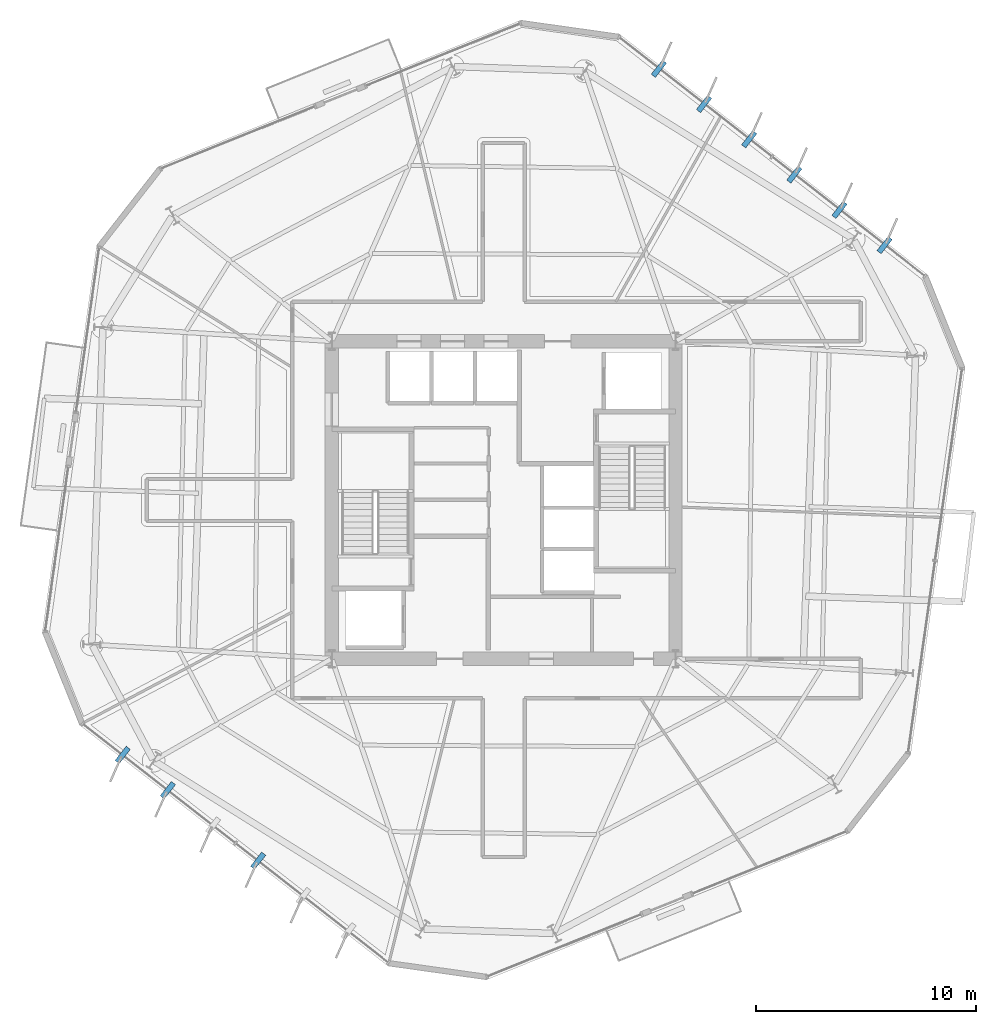
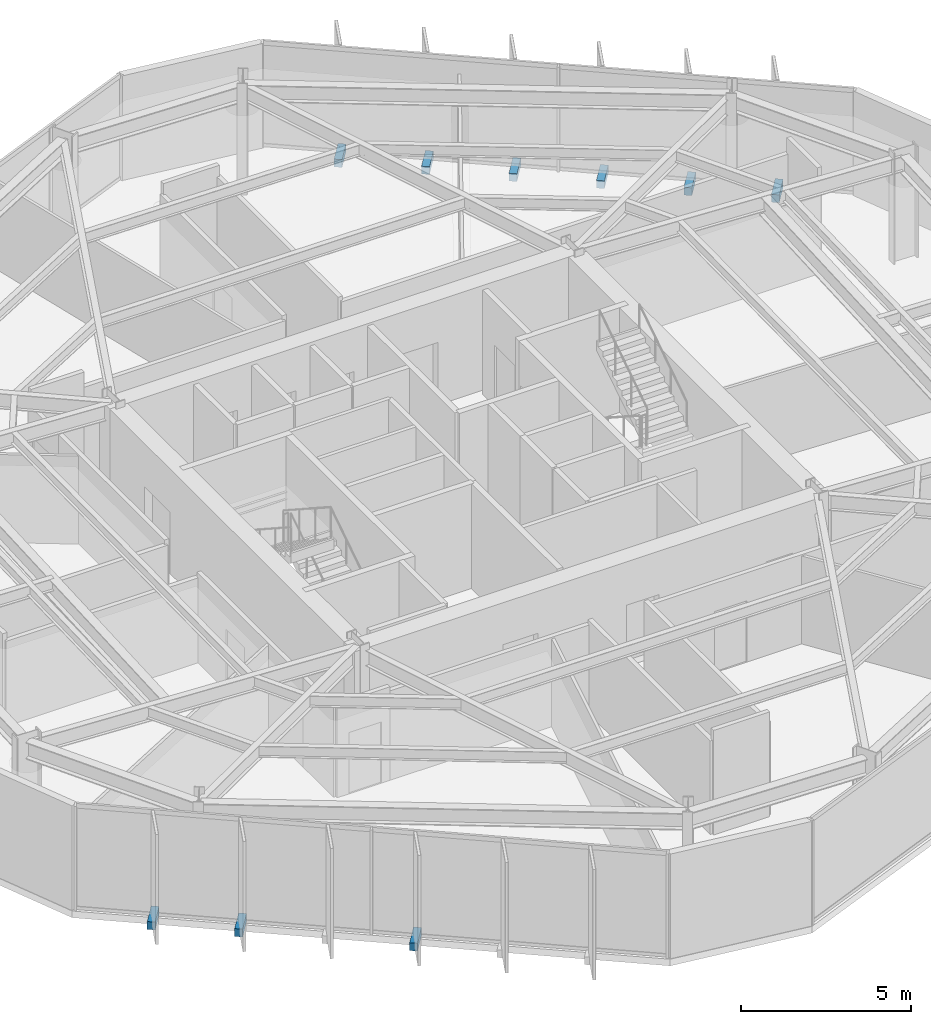
# One storey, part 9 of 12: 9 discrete accessories.
"""IFC4 building model written with IfcOpenShell, lengths in metres."""

from ifc_helpers import new_model, si_unit, direction, frame, origin, origin_2d, place, context, subcontext, project, spatial, rectangle, extrude, material, type_object, element, save


model = new_model("IFC4")

# Units and contexts
model_context = context("Model", 3, precision=1e-05, world=origin(), true_north=direction((0.0, 1.0)))
body_context = subcontext(model_context, "Body", "Model", "MODEL_VIEW")
ifc_project = project(units=[si_unit("LENGTHUNIT", "METRE"), si_unit("AREAUNIT", "SQUARE_METRE"), si_unit("VOLUMEUNIT", "CUBIC_METRE"), si_unit("PLANEANGLEUNIT", "RADIAN"), si_unit("MASSUNIT", "GRAM", prefix="KILO")], contexts=[model_context])

# Site, building, storey
site_placement = place(None, origin())
site = spatial("IfcSite", under=ifc_project, at=site_placement, CompositionType="ELEMENT")
building_placement = place(site_placement, origin())
building = spatial("IfcBuilding", under=site, at=building_placement, Name="Kranzbogen Civic Tower", CompositionType="ELEMENT")
storey_placement = place(building_placement, frame((0.0, 0.0, 110.39990234375)))
storey = spatial("IfcBuildingStorey", under=building, at=storey_placement, Name="L26", CompositionType="ELEMENT", Elevation=110.39990234375)

# Discrete accessories
ifc_material = material(Name="Steel S355", Category="steel")
discrete_accessory_type = type_object("IfcDiscreteAccessoryType", Name="Structural Curtain-Wall Fin Support Bracket", PredefinedType="BRACKET", material=ifc_material)
for number, where, z_axis, x_axis, name in (
    (1, (42.287109375, 36.569091796875, -0.25), (0.0, 0.0, 1.0), (0.615661475326, 0.788010753607, 0.0), "L26 facade fin support bracket F1-1"),
    (2, (40.239013671875, 38.169921875, -0.25), (0.0, 0.0, 1.0), (0.615661475326, 0.788010753607, 0.0), "L26 facade fin support bracket F1-2"),
    (3, (38.18994140625, 39.77001953125, -0.25), (0.0, 0.0, 1.0), (0.615661475326, 0.788010753607, 0.0), "L26 facade fin support bracket F1-3"),
    (4, (36.14111328125, 41.37109375, -0.25), (0.0, 0.0, 1.0), (0.615661475326, 0.788010753607, 0.0), "L26 facade fin support bracket F1-4"),
    (5, (34.092041015625, 42.971923828125, -0.25), (0.0, 0.0, 1.0), (0.615661475326, 0.788010753607, 0.0), "L26 facade fin support bracket F1-5"),
    (6, (32.04296875, 44.572021484375, -0.25), (0.0, 0.0, 1.0), (0.615661475326, 0.788010753607, 0.0), "L26 facade fin support bracket F1-6"),
    (7, (7.712890625, 13.430908203125, -0.25), (0.0, 0.0, 1.0), (-0.615661475326, -0.788010753607, 0.0), "L26 facade fin support bracket F4-1"),
    (8, (9.760986328125, 11.830078125, -0.25), (0.0, 0.0, 1.0), (-0.615661475326, -0.788010753607, 0.0), "L26 facade fin support bracket F4-2"),
    (9, (13.85888671875, 8.62890625, -0.25), (0.0, 0.0, 1.0), (-0.615661475326, -0.788010753607, 0.0), "L26 facade fin support bracket F4-4"),
):
    element("IfcDiscreteAccessory", number, at=place(storey_placement, frame(where, z_axis=z_axis, x_axis=x_axis)), inside=storey, type_object=discrete_accessory_type, Name=name, PredefinedType="BRACKET", context=body_context, shape_type="SweptSolid", body=[
        extrude(rectangle(XDim=0.820068359375, YDim=0.239990234375, at=origin_2d()), origin(), (0.0, 0.0, 1.0), 0.280029296875),
    ])

save(model, "model.ifc")
